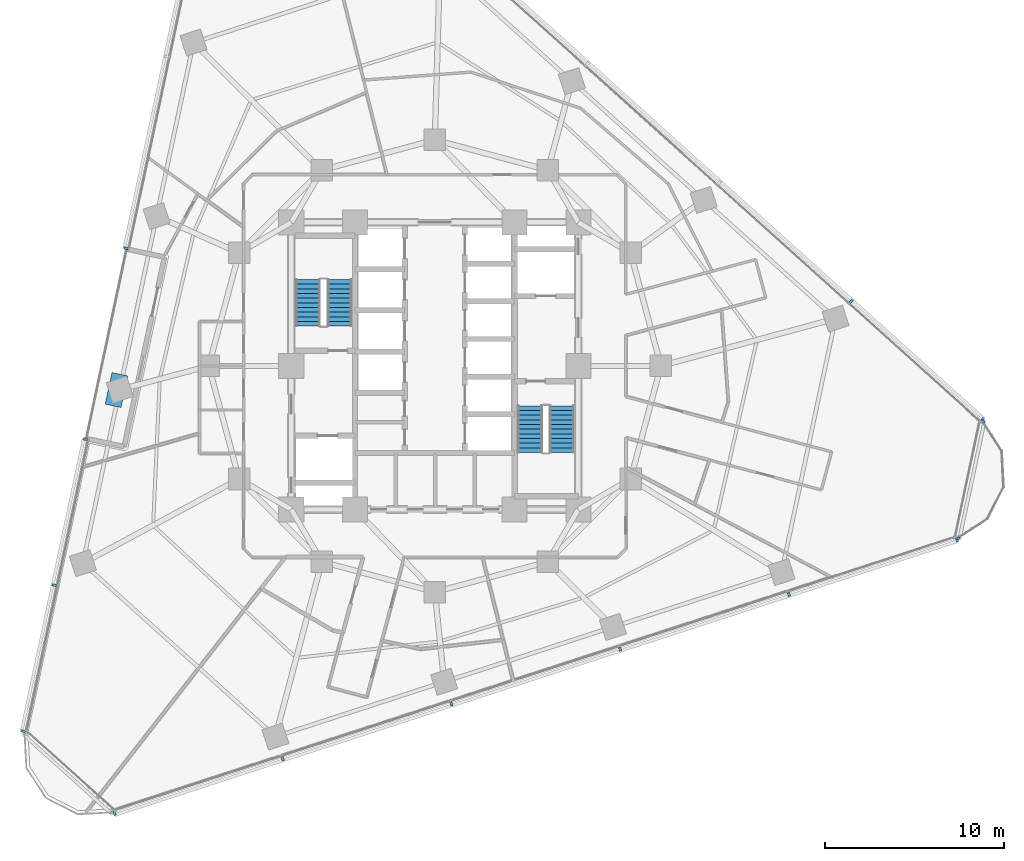
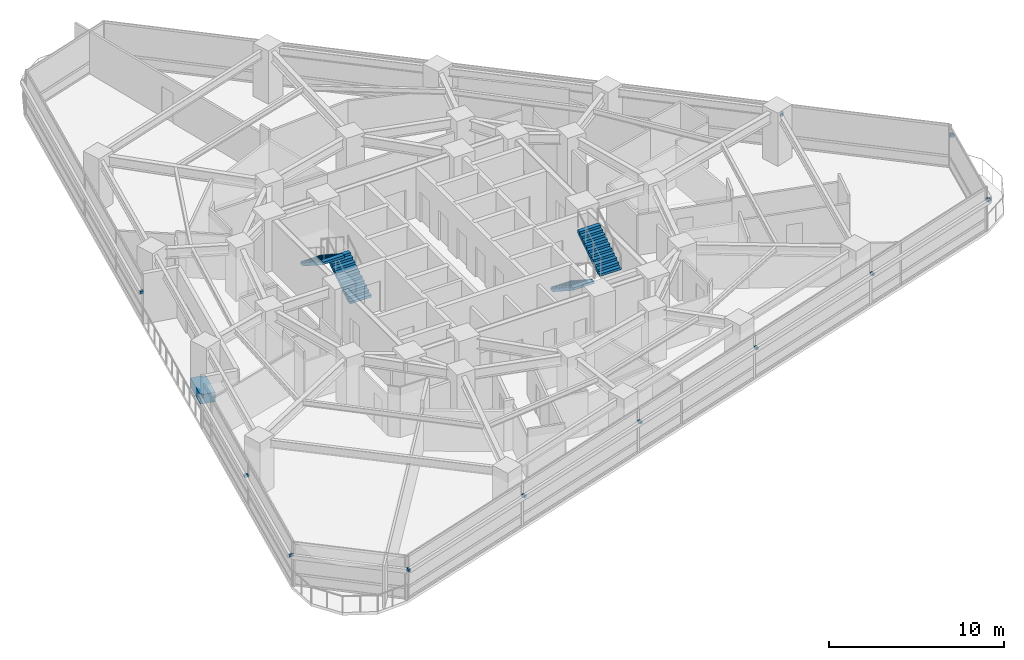
# One storey, part 10 of 14: 15 discrete accessories, 4 stair flights, 2 elements without a shape of their own.
"""IFC4 building model written with IfcOpenShell, lengths in metres."""

from ifc_helpers import new_model, si_unit, direction, frame, origin, origin_2d, place, context, subcontext, project, spatial, polyline, rectangle, outline, extrude, material, type_object, element, aggregate, save


model = new_model("IFC4")

# Units and contexts
model_context = context("Model", 3, precision=1e-05, world=origin(), true_north=direction((0.0, 1.0)))
body_context = subcontext(model_context, "Body", "Model", "MODEL_VIEW")
ifc_project = project(units=[si_unit("LENGTHUNIT", "METRE"), si_unit("AREAUNIT", "SQUARE_METRE"), si_unit("VOLUMEUNIT", "CUBIC_METRE"), si_unit("PLANEANGLEUNIT", "RADIAN"), si_unit("MASSUNIT", "GRAM", prefix="KILO")], contexts=[model_context])

# Site, building, storey
site_placement = place(None, origin())
site = spatial("IfcSite", under=ifc_project, at=site_placement, CompositionType="ELEMENT")
building_placement = place(site_placement, origin())
building = spatial("IfcBuilding", under=site, at=building_placement, Name="Terralouvre Media Tower", CompositionType="ELEMENT")
storey_placement = place(building_placement, frame((0.0, 0.0, 112.5)))
storey = spatial("IfcBuildingStorey", under=building, at=storey_placement, Name="L28", CompositionType="ELEMENT", Elevation=112.5)

# Stair, stair flights
ifc_material_1 = material(Name="Concrete C45/55", Category="concrete")
stair_type_1 = type_object("IfcStairType", Name="Dogleg Stair Assembly ST-01", PredefinedType="HALF_TURN_STAIR", material=ifc_material_1)
stair_1_placement = place(storey_placement, origin())
stair_1 = element("IfcStair", 1, at=stair_1_placement, inside=storey, type_object=stair_type_1, Name="L28 Core Pressurised Exit Stair ST-01", PredefinedType="HALF_TURN_STAIR")
ifc_material_2 = material(Name="Concrete C45/55", Category="concrete")
stair_flight_type = type_object("IfcStairFlightType", Name="Reinforced Concrete Stair Flight SF-RC1", PredefinedType="STRAIGHT", material=ifc_material_2)
stair_flight_1_placement = place(storey_placement, frame((-5.300048828125, 2.219970703125, 0.0), z_axis=(0.0, 0.0, 1.0), x_axis=(0.0, 1.0, 0.0)))
stair_flight_1 = element("IfcStairFlight", 2, at=stair_flight_1_placement, type_object=stair_flight_type, Name="ST-01 flight 1", NumberOfRisers=11, NumberOfTreads=10, PredefinedType="STRAIGHT", RiserHeight=0.168181818, TreadLength=0.26, context=body_context, shape_type="SweptSolid", body=[
    extrude(outline(polyline([(0.0, 0.0), (0.0, 0.168212890625), (0.260009765625, 0.168212890625), (0.260009765625, 0.33642578125), (0.52001953125, 0.33642578125), (0.52001953125, 0.504638671875), (0.780029296875, 0.504638671875), (0.780029296875, 0.672607421875), (1.0400390625, 0.672607421875), (1.0400390625, 0.8408203125), (1.300048828125, 0.8408203125), (1.300048828125, 1.009033203125), (1.56005859375, 1.009033203125), (1.56005859375, 1.17724609375), (1.820068359375, 1.17724609375), (1.820068359375, 1.345458984375), (2.080078125, 1.345458984375), (2.080078125, 1.513671875), (2.340087890625, 1.513671875), (2.340087890625, 1.681884765625), (2.60009765625, 1.681884765625), (2.60009765625, 1.85009765625), (2.60009765625, 1.503173828125), (0.27587890625, 0.0), (0.0, 0.0)])), frame((0.0, 0.699951171875, 0.0), z_axis=(0.0, -1.0, 0.0), x_axis=(1.0, 0.0, 0.0)), (0.0, 0.0, 1.0), 1.39990234375),
])
stair_flight_2_placement = place(storey_placement, frame((-7.080078125, 4.820068359375, 1.85009765625), z_axis=(0.0, 0.0, 1.0), x_axis=(0.0, -1.0, 0.0)))
stair_flight_2 = element("IfcStairFlight", 3, at=stair_flight_2_placement, type_object=stair_flight_type, Name="ST-01 flight 2", NumberOfRisers=11, NumberOfTreads=10, PredefinedType="STRAIGHT", RiserHeight=0.168181818, TreadLength=0.26, context=body_context, shape_type="SweptSolid", body=[
    extrude(outline(polyline([(0.0, 0.0), (0.0, 0.168212890625), (0.260009765625, 0.168212890625), (0.260009765625, 0.33642578125), (0.52001953125, 0.33642578125), (0.52001953125, 0.504638671875), (0.780029296875, 0.504638671875), (0.780029296875, 0.672607421875), (1.0400390625, 0.672607421875), (1.0400390625, 0.8408203125), (1.300048828125, 0.8408203125), (1.300048828125, 1.009033203125), (1.56005859375, 1.009033203125), (1.56005859375, 1.17724609375), (1.820068359375, 1.17724609375), (1.820068359375, 1.345458984375), (2.080078125, 1.345458984375), (2.080078125, 1.513671875), (2.340087890625, 1.513671875), (2.340087890625, 1.681884765625), (2.60009765625, 1.681884765625), (2.60009765625, 1.85009765625), (2.60009765625, 1.503173828125), (0.27587890625, 0.0), (0.0, 0.0)])), frame((0.0, 0.699951171875, 0.0), z_axis=(0.0, -1.0, 0.0), x_axis=(1.0, 0.0, 0.0)), (0.0, 0.0, 1.0), 1.39990234375),
])
aggregate(stair_1, [stair_flight_1, stair_flight_2])

ifc_material_3 = material(Name="Concrete C45/55", Category="concrete")
stair_type_2 = type_object("IfcStairType", Name="Dogleg Stair Assembly ST-02", PredefinedType="HALF_TURN_STAIR", material=ifc_material_3)
stair_2_placement = place(storey_placement, origin())
stair_2 = element("IfcStair", 4, at=stair_2_placement, inside=storey, type_object=stair_type_2, Name="L28 Core Pressurised Exit Stair ST-02", PredefinedType="HALF_TURN_STAIR")
stair_flight_3_placement = place(storey_placement, frame((5.300048828125, -2.219970703125, 0.0), z_axis=(0.0, 0.0, 1.0), x_axis=(0.0, -1.0, 0.0)))
stair_flight_3 = element("IfcStairFlight", 5, at=stair_flight_3_placement, type_object=stair_flight_type, Name="ST-02 flight 1", NumberOfRisers=11, NumberOfTreads=10, PredefinedType="STRAIGHT", RiserHeight=0.168181818, TreadLength=0.26, context=body_context, shape_type="SweptSolid", body=[
    extrude(outline(polyline([(0.0, 0.0), (0.0, 0.168212890625), (0.260009765625, 0.168212890625), (0.260009765625, 0.33642578125), (0.52001953125, 0.33642578125), (0.52001953125, 0.504638671875), (0.780029296875, 0.504638671875), (0.780029296875, 0.672607421875), (1.0400390625, 0.672607421875), (1.0400390625, 0.8408203125), (1.300048828125, 0.8408203125), (1.300048828125, 1.009033203125), (1.56005859375, 1.009033203125), (1.56005859375, 1.17724609375), (1.820068359375, 1.17724609375), (1.820068359375, 1.345458984375), (2.080078125, 1.345458984375), (2.080078125, 1.513671875), (2.340087890625, 1.513671875), (2.340087890625, 1.681884765625), (2.60009765625, 1.681884765625), (2.60009765625, 1.85009765625), (2.60009765625, 1.503173828125), (0.27587890625, 0.0), (0.0, 0.0)])), frame((0.0, 0.699951171875, 0.0), z_axis=(0.0, -1.0, 0.0), x_axis=(1.0, 0.0, 0.0)), (0.0, 0.0, 1.0), 1.39990234375),
])
stair_flight_4_placement = place(storey_placement, frame((7.080078125, -4.820068359375, 1.85009765625), z_axis=(0.0, 0.0, 1.0), x_axis=(0.0, 1.0, 0.0)))
stair_flight_4 = element("IfcStairFlight", 6, at=stair_flight_4_placement, type_object=stair_flight_type, Name="ST-02 flight 2", NumberOfRisers=11, NumberOfTreads=10, PredefinedType="STRAIGHT", RiserHeight=0.168181818, TreadLength=0.26, context=body_context, shape_type="SweptSolid", body=[
    extrude(outline(polyline([(0.0, 0.0), (0.0, 0.168212890625), (0.260009765625, 0.168212890625), (0.260009765625, 0.33642578125), (0.52001953125, 0.33642578125), (0.52001953125, 0.504638671875), (0.780029296875, 0.504638671875), (0.780029296875, 0.672607421875), (1.0400390625, 0.672607421875), (1.0400390625, 0.8408203125), (1.300048828125, 0.8408203125), (1.300048828125, 1.009033203125), (1.56005859375, 1.009033203125), (1.56005859375, 1.17724609375), (1.820068359375, 1.17724609375), (1.820068359375, 1.345458984375), (2.080078125, 1.345458984375), (2.080078125, 1.513671875), (2.340087890625, 1.513671875), (2.340087890625, 1.681884765625), (2.60009765625, 1.681884765625), (2.60009765625, 1.85009765625), (2.60009765625, 1.503173828125), (0.27587890625, 0.0), (0.0, 0.0)])), frame((0.0, 0.699951171875, 0.0), z_axis=(0.0, -1.0, 0.0), x_axis=(1.0, 0.0, 0.0)), (0.0, 0.0, 1.0), 1.39990234375),
])
aggregate(stair_2, [stair_flight_3, stair_flight_4])

# Discrete accessories
ifc_material_4 = material(Name="Anodised extruded aluminium 6063-T6", Category="aluminium")
discrete_accessory_type_1 = type_object("IfcDiscreteAccessoryType", Name="Mullion Stand-Off Baguette Fixing Bracket BK-01", PredefinedType="BRACKET", material=ifc_material_4)
for number, where, z_axis, x_axis, name in (
    (7, (-17.852783203125, -24.928955078125, 2.07421875), (0.0, 0.0, 1.0), (0.951056509451, 0.309017015439, 0.0), "CW-L28-F0 Baguette Outrigger Bracket 1.01"),
    (8, (-8.484375, -21.885009765625, 2.07421875), (0.0, 0.0, 1.0), (0.951056509451, 0.309017015439, 0.0), "CW-L28-F0 Baguette Outrigger Bracket 1.02"),
    (9, (0.919677734375, -18.82958984375, 2.07421875), (0.0, 0.0, 1.0), (0.951056509451, 0.309017015439, 0.0), "CW-L28-F0 Baguette Outrigger Bracket 1.03"),
    (10, (10.32373046875, -15.77392578125, 2.07421875), (0.0, 0.0, 1.0), (0.951056509451, 0.309017015439, 0.0), "CW-L28-F0 Baguette Outrigger Bracket 1.04"),
    (11, (19.727783203125, -12.71826171875, 2.07421875), (0.0, 0.0, 1.0), (0.951056509451, 0.309017015439, 0.0), "CW-L28-F0 Baguette Outrigger Bracket 1.05"),
    (12, (29.09619140625, -9.67431640625, 2.07421875), (0.0, 0.0, 1.0), (0.951056509451, 0.309017015439, 0.0), "CW-L28-F0 Baguette Outrigger Bracket 1.06"),
    (13, (30.515625, -2.996337890625, 2.07421875), (0.0, 0.0, 1.0), (-0.743144795545, 0.669130639602, 0.0), "CW-L28-F1 Baguette Outrigger Bracket 1.01"),
    (14, (23.1953125, 3.5947265625, 2.07421875), (0.0, 0.0, 1.0), (-0.743144795545, 0.669130639602, 0.0), "CW-L28-F1 Baguette Outrigger Bracket 1.02"),
    (15, (-17.20458984375, 6.557861328125, 2.07421875), (0.0, 0.0, 1.0), (-0.207911898634, -0.978147556561, 0.0), "CW-L28-F2L Baguette Outrigger Bracket 1.03"),
    (16, (-19.465576171875, -4.07958984375, 2.07421875), (0.0, 0.0, 1.0), (-0.207911137518, -0.978147718341, 0.0), "CW-L28-F2R Baguette Outrigger Bracket 1.01"),
    (17, (-21.196044921875, -12.22021484375, 2.07421875), (0.0, 0.0, 1.0), (-0.207911137518, -0.978147718341, 0.0), "CW-L28-F2R Baguette Outrigger Bracket 1.02"),
    (18, (-22.92626953125, -20.36083984375, 2.07421875), (0.0, 0.0, 1.0), (-0.207911137518, -0.978147718341, 0.0), "CW-L28-F2R Baguette Outrigger Bracket 1.03"),
    (19, (29.146728515625, -9.59228515625, 2.07421875), (0.0, 0.0, 1.0), (0.207911611348, 0.978147617626, 0.0), "CW-L28-C1 Baguette Outrigger Bracket 1.01"),
    (20, (30.5283203125, -3.092041015625, 2.07421875), (0.0, 0.0, 1.0), (0.207911611348, 0.978147617626, 0.0), "CW-L28-C1 Baguette Outrigger Bracket 1.02"),
):
    element("IfcDiscreteAccessory", number, at=place(storey_placement, frame(where, z_axis=z_axis, x_axis=x_axis)), inside=storey, type_object=discrete_accessory_type_1, Name=name, PredefinedType="BRACKET", context=body_context, shape_type="SweptSolid", body=[
        extrude(rectangle(XDim=0.139892578125, YDim=0.239990234375, at=origin_2d()), origin(), (0.0, 0.0, 1.0), 0.179931640625),
    ])
ifc_material_5 = material(Name="Kiln-fired architectural terracotta rainscreen cladding", Category="masonry")
discrete_accessory_type_2 = type_object("IfcDiscreteAccessoryType", Name="Planted Tropical Garden Bed Planter PLT-01", PredefinedType="USERDEFINED", material=ifc_material_5)
discrete_accessory_placement = place(storey_placement, frame((-17.743408203125, -1.34033203125, -0.0048828125), z_axis=(0.0, 0.0, 1.0), x_axis=(-0.207911905429, -0.978147555117, 0.0)))
element("IfcDiscreteAccessory", 21, at=discrete_accessory_placement, inside=storey, type_object=discrete_accessory_type_2, Name="L28 SG Planted Garden Bed Planter", ObjectType="PLANTER", PredefinedType="USERDEFINED", context=body_context, shape_type="SweptSolid", body=[
    extrude(rectangle(XDim=1.800048828125, YDim=0.89990234375, at=origin_2d()), origin(), (0.0, 0.0, 1.0), 0.64990234375),
])

save(model, "model.ifc")
